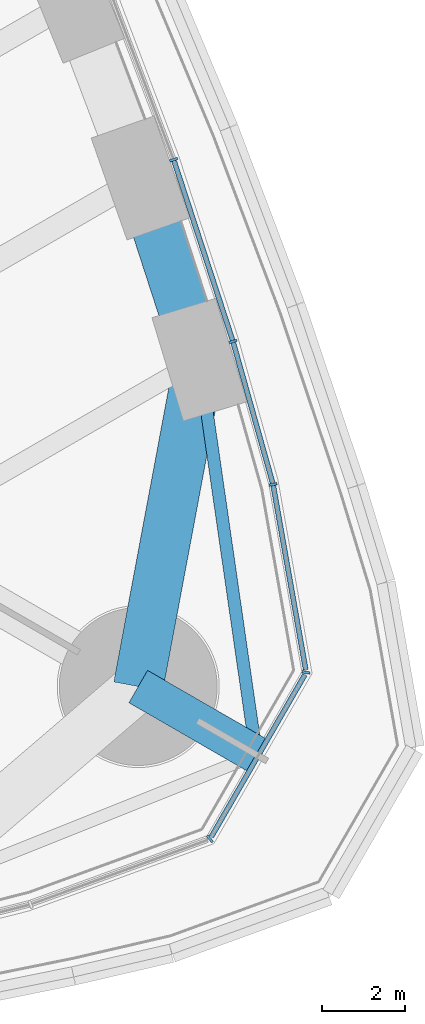
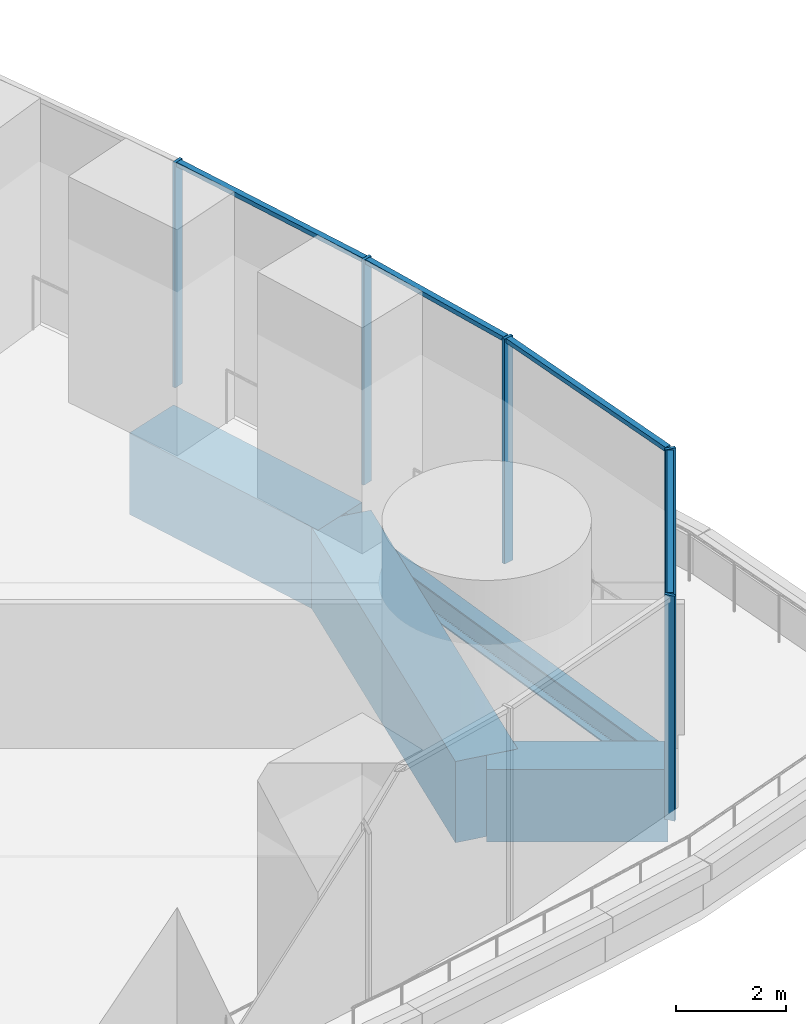
# One storey, part 10 of 31: 9 members, 4 beams, 2 elements without a shape of their own.
"""IFC4 building model written with IfcOpenShell, lengths in metres."""

from ifc_helpers import new_model, si_unit, direction, frame, origin, origin_2d, place, context, subcontext, project, spatial, rectangle, i_section, extrude, material, material_profile, profile_set, type_object, element, aggregate, save


model = new_model("IFC4")

# Units and contexts
model_context = context("Model", 3, precision=1e-05, world=origin(), true_north=direction((0.0, 1.0)))
body_context = subcontext(model_context, "Body", "Model", "MODEL_VIEW")
ifc_project = project(units=[si_unit("LENGTHUNIT", "METRE"), si_unit("AREAUNIT", "SQUARE_METRE"), si_unit("VOLUMEUNIT", "CUBIC_METRE"), si_unit("PLANEANGLEUNIT", "RADIAN"), si_unit("MASSUNIT", "GRAM", prefix="KILO")], contexts=[model_context])

# Site, building, storey
site_placement = place(None, origin())
site = spatial("IfcSite", under=ifc_project, at=site_placement, CompositionType="ELEMENT")
building_placement = place(site_placement, origin())
building = spatial("IfcBuilding", under=site, at=building_placement, Name="Trefoil Bronze Tower", CompositionType="ELEMENT")
storey_placement = place(building_placement, frame((0.0, 0.0, 184.699951171875)))
storey = spatial("IfcBuildingStorey", under=building, at=storey_placement, Name="L42", CompositionType="ELEMENT", Elevation=184.699951171875)

# Curtain wall, members
ifc_material_1 = material(Name="Tinted solar-control glass", Category="glass")
curtain_wall_type_1 = type_object("IfcCurtainWallType", Name="Bronze rounded corner curtain wall", PredefinedType="USERDEFINED", material=ifc_material_1)
curtain_wall_1_placement = place(storey_placement, origin())
curtain_wall_1 = element("IfcCurtainWall", 1, at=curtain_wall_1_placement, inside=storey, type_object=curtain_wall_type_1, Name="CW-B L42 K1", ObjectType="CURTAIN WALL", PredefinedType="USERDEFINED")
ifc_material_2 = material(Name="Bronze-finish aluminium", Category="aluminium")
ifc_material_profile_1 = material_profile(ifc_material_2, rectangle(XDim=0.199951171875, YDim=0.06005859375, at=origin_2d()), Name="CW-B mullion")
ifc_profile_set_1 = profile_set([ifc_material_profile_1], Name="Bronze-finish aluminium")
member_type_1 = type_object("IfcMemberType", Name="Bronze rounded corner curtain wall mullion", PredefinedType="MULLION", material=ifc_profile_set_1)
member_1_placement = place(storey_placement, frame((30.302490234375, -20.16748046875, 0.0), z_axis=(0.0, 0.0, 1.0), x_axis=(-0.642787609687, 0.766044443119, 0.0)))
member_1 = element("IfcMember", 2, at=member_1_placement, type_object=member_type_1, Name="CW-B L42 K1 mullion 2", PredefinedType="MULLION", context=body_context, shape_type="SweptSolid", body=[
    extrude(rectangle(XDim=0.199951171875, YDim=0.06005859375, at=origin_2d()), origin(), (0.0, 0.0, 1.0), 4.97998046875),
])
member_2_placement = place(storey_placement, frame((32.616943359375, -16.158935546875, 0.0), z_axis=(0.0, 0.0, 1.0), x_axis=(-0.984807753012, 0.173648177667, 0.0)))
member_2 = element("IfcMember", 3, at=member_2_placement, type_object=member_type_1, Name="CW-B L42 K1 mullion 3", PredefinedType="MULLION", context=body_context, shape_type="SweptSolid", body=[
    extrude(rectangle(XDim=0.199951171875, YDim=0.06005859375, at=origin_2d()), origin(), (0.0, 0.0, 1.0), 4.97998046875),
])
member_3_placement = place(storey_placement, frame((31.824951171875, -11.63330078125, 0.0), z_axis=(0.0, 0.0, 1.0), x_axis=(-0.984807753012, -0.173648177667, 0.0)))
member_3 = element("IfcMember", 4, at=member_3_placement, type_object=member_type_1, Name="CW-B L42 K1 mullion 4", PredefinedType="MULLION", context=body_context, shape_type="SweptSolid", body=[
    extrude(rectangle(XDim=0.199951171875, YDim=0.06005859375, at=origin_2d()), origin(), (0.0, 0.0, 1.0), 4.97998046875),
])
ifc_material_3 = material(Name="Bronze-finish aluminium", Category="aluminium")
ifc_material_profile_2 = material_profile(ifc_material_3, rectangle(XDim=0.1201171875, YDim=0.10009765625, at=origin_2d()), Name="CW-B transom")
ifc_profile_set_2 = profile_set([ifc_material_profile_2], Name="Bronze-finish aluminium")
member_type_2 = type_object("IfcMemberType", Name="Bronze rounded corner curtain wall transom", PredefinedType="USERDEFINED", material=ifc_profile_set_2)
member_4_placement = place(storey_placement, frame((30.33984375, -20.114990234375, 4.929931640625), z_axis=(0.500007335828, 0.866021168401, 0.0), x_axis=(-0.866021168401, 0.500007335828, 0.0)))
member_4 = element("IfcMember", 5, at=member_4_placement, type_object=member_type_2, Name="CW-B L42 K1 transom 2", ObjectType="TRANSOM", PredefinedType="USERDEFINED", context=body_context, shape_type="SweptSolid", body=[
    extrude(rectangle(XDim=0.1201171875, YDim=0.10009765625, at=origin_2d()), origin(), (0.0, 0.0, 1.0), 4.50048828125),
])
member_5_placement = place(storey_placement, frame((32.611572265625, -16.0947265625, 4.929931640625), z_axis=(-0.173655350028, 0.984806488304, 0.0), x_axis=(-0.984806488304, -0.173655350028, 0.0)))
member_5 = element("IfcMember", 6, at=member_5_placement, type_object=member_type_2, Name="CW-B L42 K1 transom 3", ObjectType="TRANSOM", PredefinedType="USERDEFINED", context=body_context, shape_type="SweptSolid", body=[
    extrude(rectangle(XDim=0.1201171875, YDim=0.10009765625, at=origin_2d()), origin(), (0.0, 0.0, 1.0), 4.500244140625),
])
aggregate(curtain_wall_1, [member_1, member_2, member_3, member_4, member_5])

ifc_material_4 = material(Name="Tinted solar-control glass", Category="glass")
curtain_wall_type_2 = type_object("IfcCurtainWallType", Name="Bronze sky lobby curtain wall", PredefinedType="USERDEFINED", material=ifc_material_4)
curtain_wall_2_placement = place(storey_placement, origin())
curtain_wall_2 = element("IfcCurtainWall", 7, at=curtain_wall_2_placement, inside=storey, type_object=curtain_wall_type_2, Name="CW-D L42 F2", ObjectType="CURTAIN WALL", PredefinedType="USERDEFINED")
ifc_material_5 = material(Name="Bronze-finish aluminium", Category="aluminium")
ifc_material_profile_3 = material_profile(ifc_material_5, rectangle(XDim=0.199951171875, YDim=0.06005859375, at=origin_2d()), Name="CW-D mullion")
ifc_profile_set_3 = profile_set([ifc_material_profile_3], Name="Bronze-finish aluminium")
member_type_3 = type_object("IfcMemberType", Name="Bronze sky lobby curtain wall mullion", PredefinedType="MULLION", material=ifc_profile_set_3)
member_6_placement = place(storey_placement, frame((30.85888671875, -8.1904296875, 0.0), z_axis=(0.0, 0.0, 1.0), x_axis=(-0.95694224323, -0.290278389002, 0.0)))
member_6 = element("IfcMember", 8, at=member_6_placement, type_object=member_type_3, Name="CW-D L42 F2 mullion 2", PredefinedType="MULLION", context=body_context, shape_type="SweptSolid", body=[
    extrude(rectangle(XDim=0.199951171875, YDim=0.06005859375, at=origin_2d()), origin(), (0.0, 0.0, 1.0), 4.97998046875),
])
member_7_placement = place(storey_placement, frame((29.43115234375, -3.813720703125, 0.0), z_axis=(0.0, 0.0, 1.0), x_axis=(-0.943180077746, -0.332282020191, 0.0)))
member_7 = element("IfcMember", 9, at=member_7_placement, type_object=member_type_3, Name="CW-D L42 F2 mullion 3", PredefinedType="MULLION", context=body_context, shape_type="SweptSolid", body=[
    extrude(rectangle(XDim=0.199951171875, YDim=0.06005859375, at=origin_2d()), origin(), (0.0, 0.0, 1.0), 4.97998046875),
])
ifc_material_6 = material(Name="Bronze-finish aluminium", Category="aluminium")
ifc_material_profile_4 = material_profile(ifc_material_6, rectangle(XDim=0.1201171875, YDim=0.10009765625, at=origin_2d()), Name="CW-D transom")
ifc_profile_set_4 = profile_set([ifc_material_profile_4], Name="Bronze-finish aluminium")
member_type_4 = type_object("IfcMemberType", Name="Bronze sky lobby curtain wall transom", PredefinedType="USERDEFINED", material=ifc_profile_set_4)
member_8_placement = place(storey_placement, frame((31.814697265625, -11.5947265625, 4.929931640625), z_axis=(-0.270291518575, 0.962778528524, 0.0), x_axis=(-0.962778528524, -0.270291518575, 0.0)))
member_8 = element("IfcMember", 10, at=member_8_placement, type_object=member_type_4, Name="CW-D L42 F2 transom 1", ObjectType="TRANSOM", PredefinedType="USERDEFINED", context=body_context, shape_type="SweptSolid", body=[
    extrude(rectangle(XDim=0.1201171875, YDim=0.10009765625, at=origin_2d()), origin(), (0.0, 0.0, 1.0), 3.503662109375),
])
member_9_placement = place(storey_placement, frame((30.84912109375, -8.159912109375, 4.929931640625), z_axis=(-0.310170666539, 0.950680891582, 0.0), x_axis=(-0.950680891582, -0.310170666539, 0.0)))
member_9 = element("IfcMember", 11, at=member_9_placement, type_object=member_type_4, Name="CW-D L42 F2 transom 2", ObjectType="TRANSOM", PredefinedType="USERDEFINED", context=body_context, shape_type="SweptSolid", body=[
    extrude(rectangle(XDim=0.1201171875, YDim=0.10009765625, at=origin_2d()), origin(), (0.0, 0.0, 1.0), 4.539306640625),
])
aggregate(curtain_wall_2, [member_6, member_7, member_8, member_9])

# Beams
ifc_material_7 = material(Name="Concrete B80", Category="concrete")
ifc_material_profile_5 = material_profile(ifc_material_7, rectangle(XDim=0.89990234375, YDim=1.60009765625, at=origin_2d()), Name="RC 900x1600")
ifc_profile_set_5 = profile_set([ifc_material_profile_5], Name="Concrete B80")
beam_type_1 = type_object("IfcBeamType", Name="Corner cantilever RC 900x1600", PredefinedType="BEAM", material=ifc_profile_set_5)
beam_1_placement = place(storey_placement, frame((28.578857421875, -16.5, -1.0), z_axis=(0.866016004958, -0.500016278891, 0.0), x_axis=(0.500016278891, 0.866016004958, 0.0)))
element("IfcBeam", 12, at=beam_1_placement, inside=storey, type_object=beam_type_1, Name="Corner cantilever K1 L42", PredefinedType="BEAM", context=body_context, shape_type="SweptSolid", body=[
    extrude(rectangle(XDim=0.89990234375, YDim=1.60009765625, at=origin_2d()), origin(), (0.0, 0.0, 1.0), 3.28466796875),
])
ifc_material_8 = material(Name="Steel C355", Category="steel")
ifc_material_profile_6 = material_profile(ifc_material_8, i_section(OverallWidth=0.300048828125, OverallDepth=0.60009765625, WebThickness=0.015380859375, FlangeThickness=0.030029296875, FilletRadius=0.027099609375, at=origin_2d()), Name="HEB 600")
ifc_profile_set_6 = profile_set([ifc_material_profile_6], Name="Steel C355")
beam_type_2 = type_object("IfcBeamType", Name="Corner edge beam HEB 600", PredefinedType="BEAM", material=ifc_profile_set_6)
beam_2_placement = place(storey_placement, frame((30.052001953125, -8.63037109375, -0.5), z_axis=(0.142694489722, -0.989766781925, 0.0), x_axis=(0.989766781925, 0.142694489722, 0.0)))
element("IfcBeam", 13, at=beam_2_placement, inside=storey, type_object=beam_type_2, Name="Corner edge beam F2B L42", PredefinedType="BEAM", context=body_context, shape_type="SweptSolid", body=[
    extrude(i_section(OverallWidth=0.300048828125, OverallDepth=0.60009765625, WebThickness=0.015380859375, FlangeThickness=0.030029296875, FilletRadius=0.027099609375, at=origin_2d()), origin(), (0.0, 0.0, 1.0), 9.6103515625),
])
ifc_material_9 = material(Name="Concrete B80", Category="concrete")
ifc_material_profile_7 = material_profile(ifc_material_9, rectangle(XDim=1.199951171875, YDim=1.800048828125, at=origin_2d()), Name="RC 1200x1800")
ifc_profile_set_7 = profile_set([ifc_material_profile_7], Name="Concrete B80")
beam_type_3 = type_object("IfcBeamType", Name="End spandrel beam RC 1200x1800", PredefinedType="SPANDREL", material=ifc_profile_set_7)
beam_3_placement = place(storey_placement, frame((28.578857421875, -16.5, -1.099853515625), z_axis=(0.18399763073, 0.982926686933, 0.0), x_axis=(-0.982926686933, 0.18399763073, 0.0)))
element("IfcBeam", 14, at=beam_3_placement, inside=storey, type_object=beam_type_3, Name="Spandrel F2.1 L42", PredefinedType="SPANDREL", context=body_context, shape_type="SweptSolid", body=[
    extrude(rectangle(XDim=1.199951171875, YDim=1.800048828125, at=origin_2d()), origin(), (0.0, 0.0, 1.0), 8.00634765625),
])
ifc_material_10 = material(Name="Concrete B80", Category="concrete")
ifc_material_profile_8 = material_profile(ifc_material_10, rectangle(XDim=1.199951171875, YDim=1.800048828125, at=origin_2d()), Name="RC 1200x1800")
ifc_profile_set_8 = profile_set([ifc_material_profile_8], Name="Concrete B80")
beam_type_4 = type_object("IfcBeamType", Name="Spandrel beam RC 1200x1800", PredefinedType="SPANDREL", material=ifc_profile_set_8)
beam_4_placement = place(storey_placement, frame((30.052001953125, -8.63037109375, -1.099853515625), z_axis=(-0.308608505504, 0.951189145402, 0.0), x_axis=(-0.951189145402, -0.308608505504, 0.0)))
element("IfcBeam", 15, at=beam_4_placement, inside=storey, type_object=beam_type_4, Name="Spandrel F2.2 L42", PredefinedType="SPANDREL", context=body_context, shape_type="SweptSolid", body=[
    extrude(rectangle(XDim=1.199951171875, YDim=1.800048828125, at=origin_2d()), origin(), (0.0, 0.0, 1.0), 4.60107421875),
])

save(model, "model.ifc")
